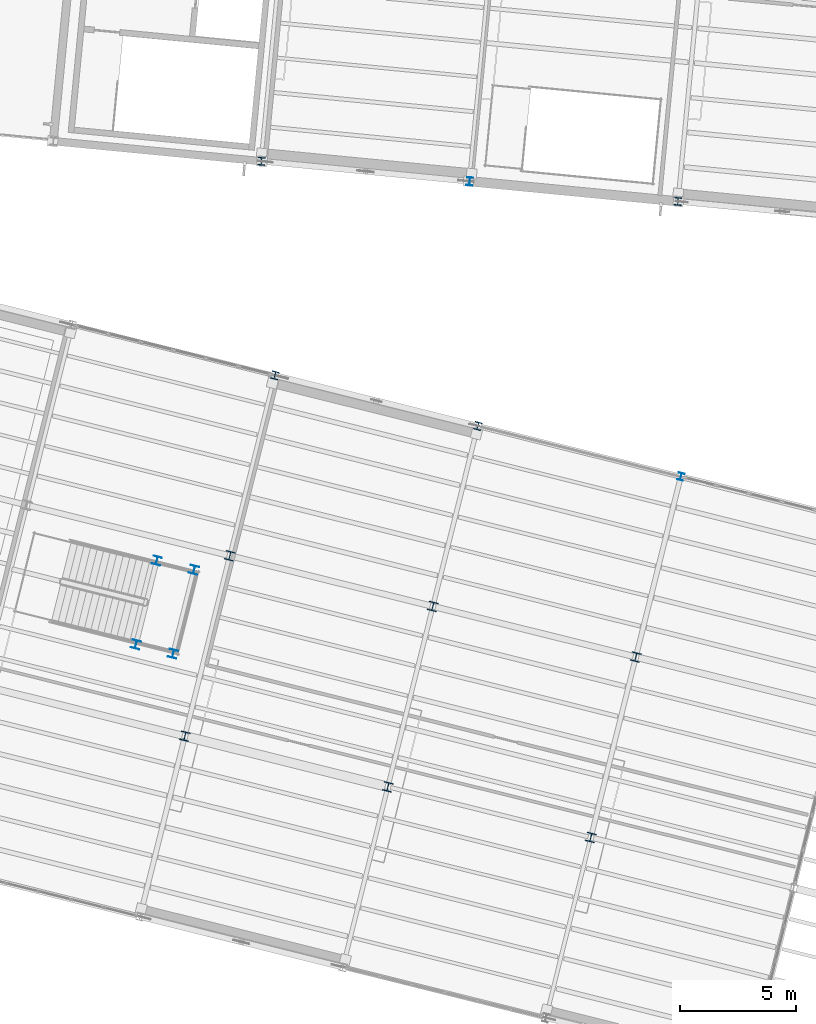
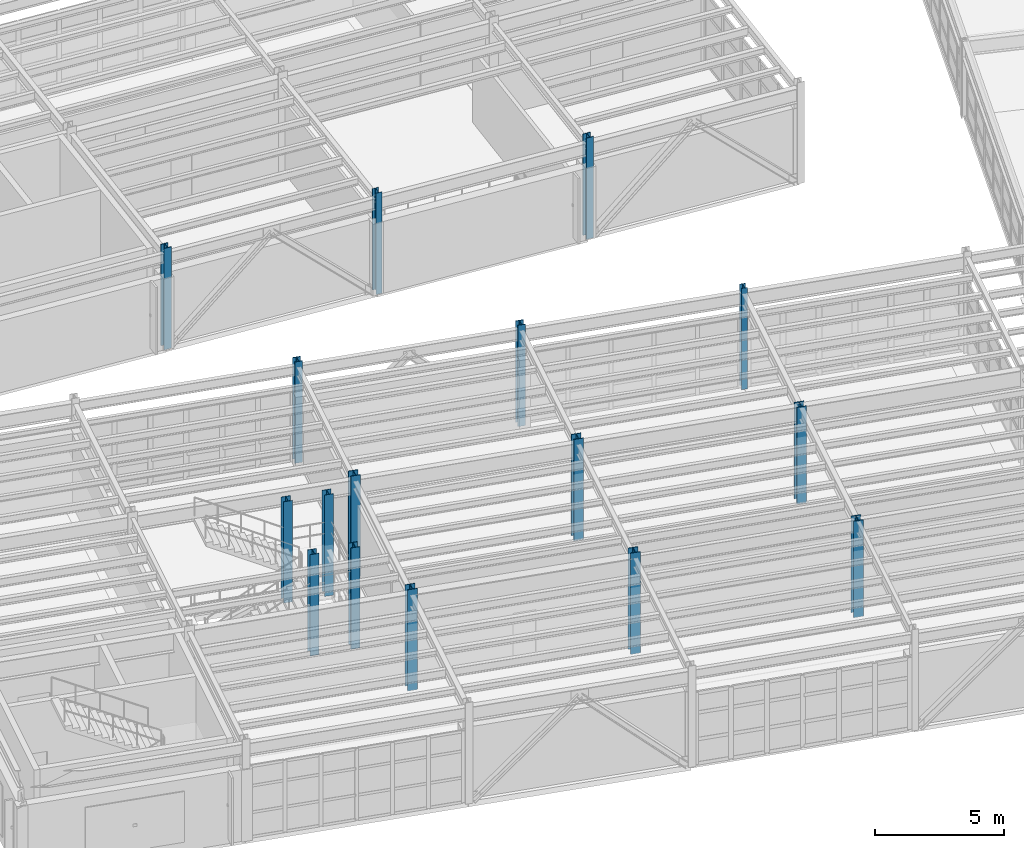
# One storey, part 7 of 102: 16 columns.
"""IFC4 building model written with IfcOpenShell, lengths in metres."""

from ifc_helpers import new_model, si_unit, direction, frame, origin, origin_2d, place, context, subcontext, project, spatial, i_section, extrude, material, material_profile, profile_set, type_object, element, save


model = new_model("IFC4")

# Units and contexts
model_context = context("Model", 3, precision=1e-05, world=origin(), true_north=direction((0.0, 1.0)))
body_context = subcontext(model_context, "Body", "Model", "MODEL_VIEW")
ifc_project = project(units=[si_unit("LENGTHUNIT", "METRE"), si_unit("AREAUNIT", "SQUARE_METRE"), si_unit("VOLUMEUNIT", "CUBIC_METRE"), si_unit("PLANEANGLEUNIT", "RADIAN"), si_unit("MASSUNIT", "GRAM", prefix="KILO")], contexts=[model_context])

# Site, building, storey
site_placement = place(None, origin())
site = spatial("IfcSite", under=ifc_project, at=site_placement, CompositionType="ELEMENT")
building_placement = place(site_placement, origin())
building = spatial("IfcBuilding", under=site, at=building_placement, Name="Vireo Bluff Cable Station", CompositionType="ELEMENT")
storey_placement = place(building_placement, frame((0.0, 0.0, 9.60009765625)))
storey = spatial("IfcBuildingStorey", under=building, at=storey_placement, Name="L02", CompositionType="ELEMENT", Elevation=9.60009765625)

# Columns
ifc_material = material(Name="Steel ASTM A992 Gr. 50", Category="steel")
ifc_material_profile_1 = material_profile(ifc_material, i_section(OverallWidth=0.39404296875, OverallDepth=0.3759765625, WebThickness=0.017333984375, FlangeThickness=0.027587890625, FilletRadius=0.014892578125, at=origin_2d()), Name="W14X145")
ifc_profile_set_1 = profile_set([ifc_material_profile_1], Name="Steel ASTM A992 Gr. 50")
column_type_1 = type_object("IfcColumnType", Name="COL-W14X145", PredefinedType="COLUMN", material=ifc_profile_set_1)
for number, where, z_axis, x_axis, name in (
    (1, (75.336181640625, 49.170166015625, 0.0), (0.0, 0.0, 1.0), (0.970295726276, -0.2419218956, 0.0), "V1 L02 column 53"),
    (2, (84.06884765625, 46.992919921875, 0.0), (0.0, 0.0, 1.0), (0.970295726276, -0.2419218956, 0.0), "V1 L02 column 73"),
):
    element("IfcColumn", number, at=place(storey_placement, frame(where, z_axis=z_axis, x_axis=x_axis)), inside=storey, type_object=column_type_1, Name=name, PredefinedType="COLUMN", context=body_context, shape_type="SweptSolid", body=[
        extrude(i_section(OverallWidth=0.39404296875, OverallDepth=0.3759765625, WebThickness=0.017333984375, FlangeThickness=0.027587890625, FilletRadius=0.014892578125, at=origin_2d()), origin(), (0.0, 0.0, 1.0), 4.7998046875),
    ])
column_1_placement = place(storey_placement, frame((92.801513671875, 44.8154296875, 0.0), z_axis=(0.0, 0.0, 1.0), x_axis=(0.970295726276, -0.2419218956, 0.0)))
element("IfcColumn", 3, at=column_1_placement, inside=storey, type_object=column_type_1, Name="V1 L02 column 91", PredefinedType="COLUMN", context=body_context, shape_type="SweptSolid", body=[
    extrude(i_section(OverallWidth=0.39404296875, OverallDepth=0.3759765625, WebThickness=0.017333984375, FlangeThickness=0.027587890625, FilletRadius=0.014892578125, at=origin_2d()), origin(), (0.0, 0.0, 1.0), 4.579833984375),
])
ifc_material_profile_2 = material_profile(ifc_material, i_section(OverallWidth=0.39599609375, OverallDepth=0.381103515625, WebThickness=0.018798828125, FlangeThickness=0.0302734375, FilletRadius=0.014892578125, at=origin_2d()), Name="W14X159")
ifc_profile_set_2 = profile_set([ifc_material_profile_2], Name="Steel ASTM A992 Gr. 50")
column_type_2 = type_object("IfcColumnType", Name="COL-W14X159", PredefinedType="COLUMN", material=ifc_profile_set_2)
for number, where, z_axis, x_axis, name in (
    (4, (73.400634765625, 41.40771484375, 0.0), (0.0, 0.0, 1.0), (0.970295726276, -0.2419218956, 0.0), "V1 L02 column 48"),
    (5, (82.13330078125, 39.23046875, 0.0), (0.0, 0.0, 1.0), (0.970295726276, -0.2419218956, 0.0), "V1 L02 column 68"),
):
    element("IfcColumn", number, at=place(storey_placement, frame(where, z_axis=z_axis, x_axis=x_axis)), inside=storey, type_object=column_type_2, Name=name, PredefinedType="COLUMN", context=body_context, shape_type="SweptSolid", body=[
        extrude(i_section(OverallWidth=0.39599609375, OverallDepth=0.381103515625, WebThickness=0.018798828125, FlangeThickness=0.0302734375, FilletRadius=0.014892578125, at=origin_2d()), origin(), (0.0, 0.0, 1.0), 4.7998046875),
    ])
column_2_placement = place(storey_placement, frame((90.865966796875, 37.05322265625, 0.0), z_axis=(0.0, 0.0, 1.0), x_axis=(0.970295726276, -0.2419218956, 0.0)))
element("IfcColumn", 6, at=column_2_placement, inside=storey, type_object=column_type_2, Name="V1 L02 column 88", PredefinedType="COLUMN", context=body_context, shape_type="SweptSolid", body=[
    extrude(i_section(OverallWidth=0.39599609375, OverallDepth=0.381103515625, WebThickness=0.018798828125, FlangeThickness=0.0302734375, FilletRadius=0.014892578125, at=origin_2d()), origin(), (0.0, 0.0, 1.0), 4.579833984375),
])
ifc_material_profile_3 = material_profile(ifc_material, i_section(OverallWidth=0.367919921875, OverallDepth=0.35595703125, WebThickness=0.01123046875, FlangeThickness=0.01806640625, FilletRadius=0.014892578125, at=origin_2d()), Name="W14X90")
ifc_profile_set_3 = profile_set([ifc_material_profile_3], Name="Steel ASTM A992 Gr. 50")
column_type_3 = type_object("IfcColumnType", Name="COL-W14X90", PredefinedType="COLUMN", material=ifc_profile_set_3)
for number, where, z_axis, x_axis, name in (
    (7, (71.29296875, 45.35498046875, 0.0), (0.0, 0.0, 1.0), (0.970295726276, -0.2419218956, 0.0), "ST-10 L02 landing support column 1"),
    (8, (72.89404296875, 44.955810546875, 0.0), (0.0, 0.0, 1.0), (0.970295726276, -0.2419218956, 0.0), "ST-10 L02 landing support column 2"),
    (9, (72.19287109375, 48.96435546875, 0.0), (0.0, 0.0, 1.0), (0.970295726276, -0.2419218956, 0.0), "ST-10 L02 landing support column 3"),
    (10, (73.7939453125, 48.565185546875, 0.0), (0.0, 0.0, 1.0), (0.970295726276, -0.2419218956, 0.0), "ST-10 L02 landing support column 4"),
):
    element("IfcColumn", number, at=place(storey_placement, frame(where, z_axis=z_axis, x_axis=x_axis)), inside=storey, type_object=column_type_3, Name=name, PredefinedType="COLUMN", context=body_context, shape_type="SweptSolid", body=[
        extrude(i_section(OverallWidth=0.367919921875, OverallDepth=0.35595703125, WebThickness=0.01123046875, FlangeThickness=0.01806640625, FilletRadius=0.014892578125, at=origin_2d()), origin(), (0.0, 0.0, 1.0), 4.7998046875),
    ])
ifc_material_profile_4 = material_profile(ifc_material, i_section(OverallWidth=0.31298828125, OverallDepth=0.3330078125, WebThickness=0.01806640625, FlangeThickness=0.028076171875, FilletRadius=0.012939453125, at=origin_2d()), Name="W12X120")
ifc_profile_set_4 = profile_set([ifc_material_profile_4], Name="Steel ASTM A992 Gr. 50")
column_type_4 = type_object("IfcColumnType", Name="ECOL-W12X120", PredefinedType="COLUMN", material=ifc_profile_set_4)
for number, where, z_axis, x_axis, name in (
    (11, (77.271484375, 56.9326171875, 0.0), (0.0, 0.0, 1.0), (0.970295726276, -0.2419218956, 0.0), "V1 L02 column 58"),
    (12, (86.004150390625, 54.755126953125, 0.0), (0.0, 0.0, 1.0), (0.970295726276, -0.2419218956, 0.0), "V1 L02 column 78"),
    (13, (76.69677734375, 66.141357421875, 0.0), (0.0, 0.0, 1.0), (0.995396198367, -0.09584575252, 0.0), "V3 L02 column 212"),
    (14, (94.61376953125, 64.416015625, 0.0), (0.0, 0.0, 1.0), (0.995396198367, -0.09584575252, 0.0), "V3 L02 column 230"),
):
    element("IfcColumn", number, at=place(storey_placement, frame(where, z_axis=z_axis, x_axis=x_axis)), inside=storey, type_object=column_type_4, Name=name, PredefinedType="COLUMN", context=body_context, shape_type="SweptSolid", body=[
        extrude(i_section(OverallWidth=0.31298828125, OverallDepth=0.3330078125, WebThickness=0.01806640625, FlangeThickness=0.028076171875, FilletRadius=0.012939453125, at=origin_2d()), origin(), (0.0, 0.0, 1.0), 4.7998046875),
    ])
ifc_material_profile_5 = material_profile(ifc_material, i_section(OverallWidth=0.25390625, OverallDepth=0.31005859375, WebThickness=0.009033203125, FlangeThickness=0.016357421875, FilletRadius=0.010986328125, at=origin_2d()), Name="W12X58")
ifc_profile_set_5 = profile_set([ifc_material_profile_5], Name="Steel ASTM A992 Gr. 50")
column_type_5 = type_object("IfcColumnType", Name="PIL-W12X58", PredefinedType="PILASTER", material=ifc_profile_set_5)
column_3_placement = place(storey_placement, frame((94.73681640625, 52.577880859375, 0.0), z_axis=(0.0, 0.0, 1.0), x_axis=(0.970295726276, -0.2419218956, 0.0)))
element("IfcColumn", 15, at=column_3_placement, inside=storey, type_object=column_type_5, Name="V1 L02 column 94", PredefinedType="PILASTER", context=body_context, shape_type="SweptSolid", body=[
    extrude(i_section(OverallWidth=0.25390625, OverallDepth=0.31005859375, WebThickness=0.009033203125, FlangeThickness=0.016357421875, FilletRadius=0.010986328125, at=origin_2d()), origin(), (0.0, 0.0, 1.0), 4.7998046875),
])
ifc_material_profile_6 = material_profile(ifc_material, i_section(OverallWidth=0.25390625, OverallDepth=0.35302734375, WebThickness=0.009521484375, FlangeThickness=0.016357421875, FilletRadius=0.011962890625, at=origin_2d()), Name="W14X61")
ifc_profile_set_6 = profile_set([ifc_material_profile_6], Name="Steel ASTM A992 Gr. 50")
column_type_6 = type_object("IfcColumnType", Name="PIL-W14X61", PredefinedType="PILASTER", material=ifc_profile_set_6)
column_4_placement = place(storey_placement, frame((85.6552734375, 65.278564453125, 0.0), z_axis=(0.0, 0.0, 1.0), x_axis=(0.995396198367, -0.09584575252, 0.0)))
element("IfcColumn", 16, at=column_4_placement, inside=storey, type_object=column_type_6, Name="V3 L02 column 221", PredefinedType="PILASTER", context=body_context, shape_type="SweptSolid", body=[
    extrude(i_section(OverallWidth=0.25390625, OverallDepth=0.35302734375, WebThickness=0.009521484375, FlangeThickness=0.016357421875, FilletRadius=0.011962890625, at=origin_2d()), origin(), (0.0, 0.0, 1.0), 4.7998046875),
])

save(model, "model.ifc")
